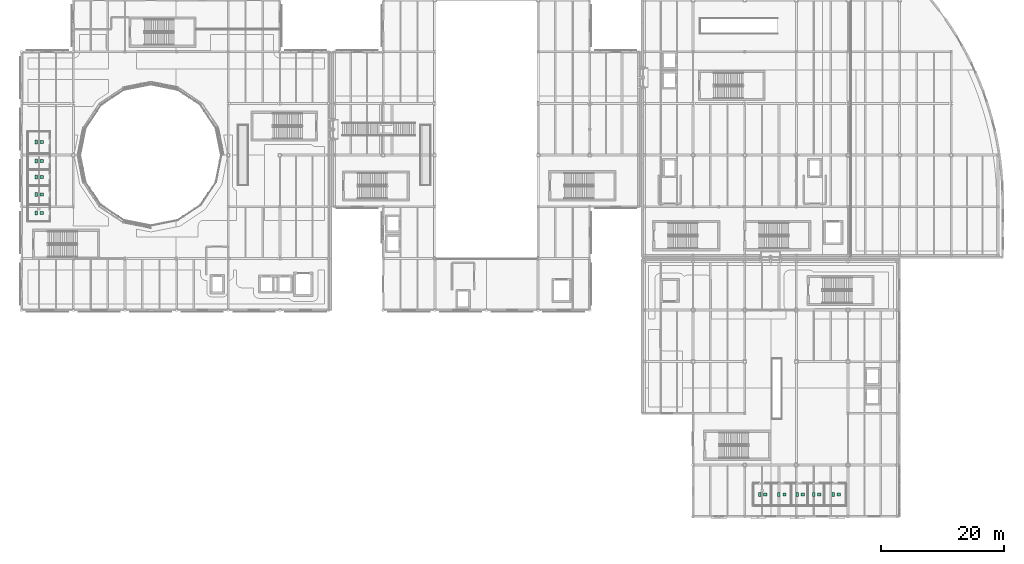
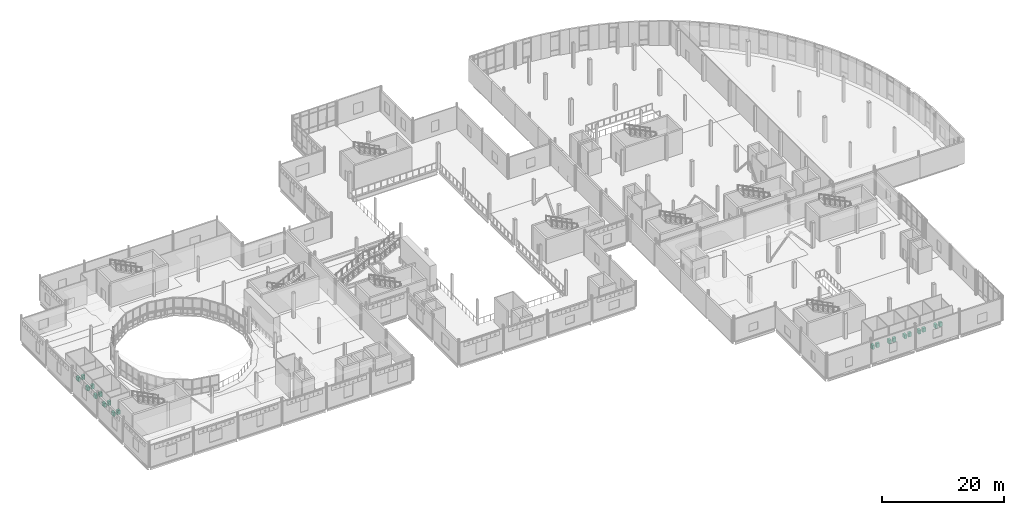
# One storey, part 102 of 104: 20 sanitary terminals.
"""IFC4 building model written with IfcOpenShell, lengths in metres."""

from ifc_helpers import new_model, si_unit, direction, frame, origin, origin_2d, place, context, subcontext, project, spatial, rectangle, extrude, material, type_object, element, save


model = new_model("IFC4")

# Units and contexts
model_context = context("Model", 3, precision=1e-05, world=origin(), true_north=direction((0.0, 1.0)))
body_context = subcontext(model_context, "Body", "Model", "MODEL_VIEW")
ifc_project = project(units=[si_unit("LENGTHUNIT", "METRE"), si_unit("AREAUNIT", "SQUARE_METRE"), si_unit("VOLUMEUNIT", "CUBIC_METRE"), si_unit("PLANEANGLEUNIT", "RADIAN"), si_unit("MASSUNIT", "GRAM", prefix="KILO"), si_unit("THERMODYNAMICTEMPERATUREUNIT", "KELVIN")], contexts=[model_context])

# Site, building, storey
site_placement = place(None, origin())
site = spatial("IfcSite", under=ifc_project, at=site_placement, CompositionType="ELEMENT")
building_placement = place(site_placement, origin())
building = spatial("IfcBuilding", under=site, at=building_placement, Name="Lustrewick Department Store", CompositionType="ELEMENT")
storey_placement = place(building_placement, frame((0.0, 0.0, 11.39990234375)))
storey = spatial("IfcBuildingStorey", under=building, at=storey_placement, Name="L03", CompositionType="ELEMENT", Elevation=11.39990234375)

# Sanitary terminals
ifc_material = material(Name="Glazed white vitreous china sanitaryware", Category="masonry")
sanitary_terminal_type_1 = type_object("IfcSanitaryTerminalType", Name="SAN-WC", PredefinedType="TOILETPAN", material=ifc_material)
for number, where, z_axis, x_axis, name in (
    (1, (10.75, 57.77001953125, 0.0), (0.0, 0.0, 1.0), (1.0, 0.0, 0.0), "L03 Male Public WC WC Pan"),
    (2, (10.75, 60.77001953125, 0.0), (0.0, 0.0, 1.0), (1.0, 0.0, 0.0), "L03 Female Public WC WC Pan"),
    (3, (10.75, 63.6201171875, 0.0), (0.0, 0.0, 1.0), (1.0, 0.0, 0.0), "L03 Accessible WC WC Pan"),
    (4, (10.75, 66.219970703125, 0.0), (0.0, 0.0, 1.0), (1.0, 0.0, 0.0), "L03 Staff WC WC Pan"),
    (5, (10.75, 69.320068359375, 0.0), (0.0, 0.0, 1.0), (1.0, 0.0, 0.0), "L03 Nursery Room WC Pan"),
    (6, (128.419921875, 12.0, 0.0), (0.0, 0.0, 1.0), (1.0, 0.0, 0.0), "L03 Male Public WC WC Pan"),
    (7, (131.570068359375, 12.0, 0.0), (0.0, 0.0, 1.0), (1.0, 0.0, 0.0), "L03 Female Public WC WC Pan"),
    (8, (134.52001953125, 12.0, 0.0), (0.0, 0.0, 1.0), (1.0, 0.0, 0.0), "L03 Accessible WC WC Pan"),
    (9, (137.219970703125, 12.0, 0.0), (0.0, 0.0, 1.0), (1.0, 0.0, 0.0), "L03 Staff WC WC Pan"),
    (10, (140.3701171875, 12.0, 0.0), (0.0, 0.0, 1.0), (1.0, 0.0, 0.0), "L03 Nursery Room WC Pan"),
):
    element("IfcSanitaryTerminal", number, at=place(storey_placement, frame(where, z_axis=z_axis, x_axis=x_axis)), inside=storey, type_object=sanitary_terminal_type_1, Name=name, PredefinedType="TOILETPAN", context=body_context, shape_type="SweptSolid", body=[
        extrude(rectangle(XDim=0.419921875, YDim=0.679931640625, at=origin_2d()), origin(), (0.0, 0.0, 1.0), 0.780029296875),
    ])
sanitary_terminal_type_2 = type_object("IfcSanitaryTerminalType", Name="SAN-WHB", PredefinedType="WASHHANDBASIN", material=ifc_material)
for number, where, z_axis, x_axis, name in (
    (11, (11.64990234375, 57.77001953125, 0.0), (0.0, 0.0, 1.0), (1.0, 0.0, 0.0), "L03 Male Public WC Washbasin"),
    (12, (11.64990234375, 60.77001953125, 0.0), (0.0, 0.0, 1.0), (1.0, 0.0, 0.0), "L03 Female Public WC Washbasin"),
    (13, (11.64990234375, 63.6201171875, 0.0), (0.0, 0.0, 1.0), (1.0, 0.0, 0.0), "L03 Accessible WC Washbasin"),
    (14, (11.64990234375, 66.219970703125, 0.0), (0.0, 0.0, 1.0), (1.0, 0.0, 0.0), "L03 Staff WC Washbasin"),
    (15, (11.64990234375, 69.320068359375, 0.0), (0.0, 0.0, 1.0), (1.0, 0.0, 0.0), "L03 Nursery Room Washbasin"),
    (16, (129.320068359375, 12.0, 0.0), (0.0, 0.0, 1.0), (1.0, 0.0, 0.0), "L03 Male Public WC Washbasin"),
    (17, (132.469970703125, 12.0, 0.0), (0.0, 0.0, 1.0), (1.0, 0.0, 0.0), "L03 Female Public WC Washbasin"),
    (18, (135.419921875, 12.0, 0.0), (0.0, 0.0, 1.0), (1.0, 0.0, 0.0), "L03 Accessible WC Washbasin"),
    (19, (138.1201171875, 12.0, 0.0), (0.0, 0.0, 1.0), (1.0, 0.0, 0.0), "L03 Staff WC Washbasin"),
    (20, (141.27001953125, 12.0, 0.0), (0.0, 0.0, 1.0), (1.0, 0.0, 0.0), "L03 Nursery Room Washbasin"),
):
    element("IfcSanitaryTerminal", number, at=place(storey_placement, frame(where, z_axis=z_axis, x_axis=x_axis)), inside=storey, type_object=sanitary_terminal_type_2, Name=name, PredefinedType="WASHHANDBASIN", context=body_context, shape_type="SweptSolid", body=[
        extrude(rectangle(XDim=0.550048828125, YDim=0.47998046875, at=origin_2d()), origin(), (0.0, 0.0, 1.0), 0.820068359375),
    ])

save(model, "model.ifc")
